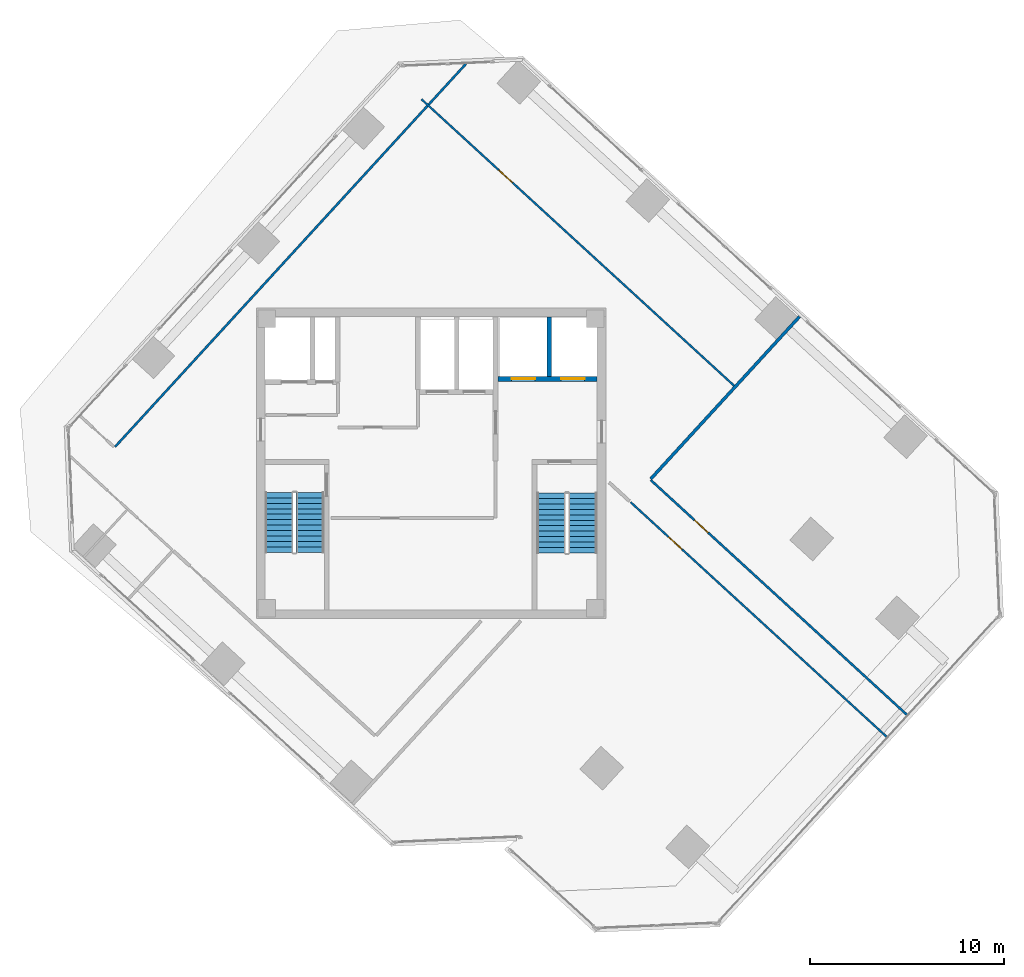
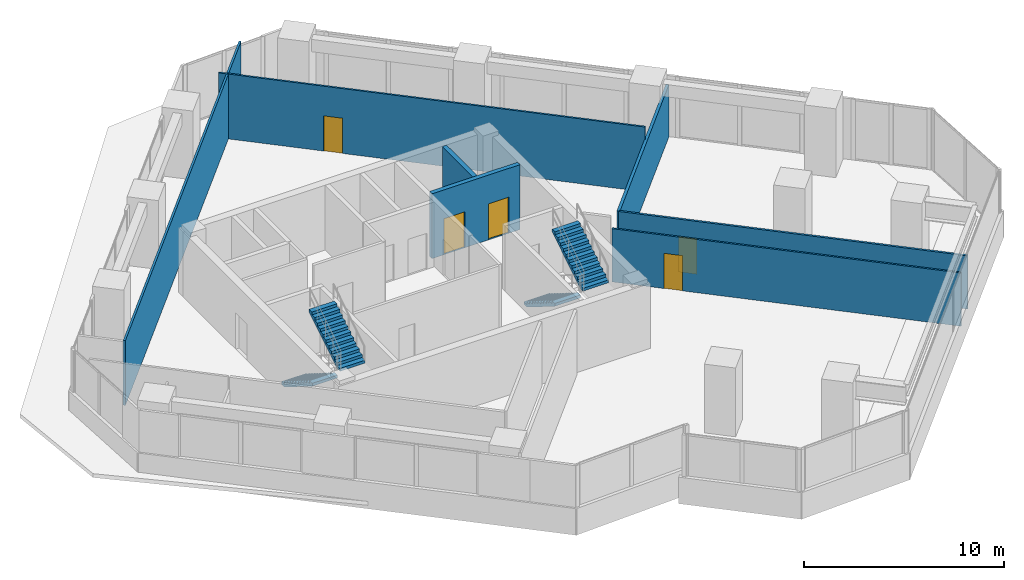
# One storey, part 15 of 19: 7 walls, 5 doors, 4 stair flights, 5 openings, 2 elements without a shape of their own.
"""IFC4 building model written with IfcOpenShell, lengths in metres."""

from ifc_helpers import new_model, si_unit, direction, frame, frame_2d, origin, place, context, subcontext, project, spatial, polyline, rectangle, outline, extrude, source, transform, mapped, material, layer, layer_set, type_object, element, fill, aggregate, save


model = new_model("IFC4")

# Units and contexts
model_context = context("Model", 3, precision=1e-05, world=origin(), true_north=direction((0.0, 1.0)))
body_context = subcontext(model_context, "Body", "Model", "MODEL_VIEW")
ifc_project = project(units=[si_unit("LENGTHUNIT", "METRE"), si_unit("AREAUNIT", "SQUARE_METRE"), si_unit("VOLUMEUNIT", "CUBIC_METRE"), si_unit("PLANEANGLEUNIT", "RADIAN"), si_unit("MASSUNIT", "GRAM", prefix="KILO")], contexts=[model_context])

# Site, building, storey
site_placement = place(None, origin())
site = spatial("IfcSite", under=ifc_project, at=site_placement, CompositionType="ELEMENT")
building_placement = place(site_placement, origin())
building = spatial("IfcBuilding", under=site, at=building_placement, Name="Torre Montelarca", CompositionType="ELEMENT")
storey_placement = place(building_placement, frame((0.0, 0.0, 229.0)))
storey = spatial("IfcBuildingStorey", under=building, at=storey_placement, Name="L51", CompositionType="ELEMENT", Elevation=229.0)

# Wall, openings, doors
ifc_material_1 = material(Name="Concrete C40/50", Category="concrete")
ifc_layer_1 = layer(ifc_material_1, 0.25, Name="Concrete C40/50", Category="concrete")
ifc_layer_set_1 = layer_set([ifc_layer_1], Name="Concrete C40/50")
wall_type_1 = type_object("IfcWallType", Name="CW-SHAFT-250", PredefinedType="SHEAR", material=ifc_layer_set_1)
wall_1_placement = place(storey_placement, frame((21.449951171875, 36.35009765625, 0.0), z_axis=(0.0, 0.0, 1.0), x_axis=(1.0, 0.0, 0.0)))
wall_1 = element("IfcWall", 1, at=wall_1_placement, inside=storey, type_object=wall_type_1, Name="L51 Core Shear Wall SH-FF-S", PredefinedType="SHEAR", context=body_context, shape_type="SweptSolid", body=[
    extrude(rectangle(XDim=5.090087890625, YDim=0.25, at=frame_2d((2.544921875, 0.0))), origin(), (0.0, 0.0, 1.0), 3.9599609375),
])
opening_1_placement = place(wall_1_placement, frame((0.699951171875, 0.0, 0.0)))
opening_1 = element("IfcOpeningElement", 2, at=opening_1_placement, cuts=wall_1, Name="Opening LD-120", PredefinedType="OPENING", context=body_context, shape_type="SweptSolid", body=[
    extrude(rectangle(XDim=1.199951171875, YDim=2.199951171875, at=frame_2d((0.60009765625, 1.10009765625))), frame((0.0, 0.135009765625, 0.0), z_axis=(0.0, -1.0, 0.0), x_axis=(1.0, 0.0, 0.0)), (0.0, 0.0, 1.0), 0.27001953125),
])
opening_2_placement = place(wall_1_placement, frame((3.25, 0.0, 0.0)))
opening_2 = element("IfcOpeningElement", 3, at=opening_2_placement, cuts=wall_1, Name="Opening LD-120", PredefinedType="OPENING", context=body_context, shape_type="SweptSolid", body=[
    extrude(rectangle(XDim=1.199951171875, YDim=2.199951171875, at=frame_2d((0.60009765625, 1.10009765625))), frame((0.0, 0.135009765625, 0.0), z_axis=(0.0, -1.0, 0.0), x_axis=(1.0, 0.0, 0.0)), (0.0, 0.0, 1.0), 0.27001953125),
])
ifc_material_2 = material(Name="Brushed stainless steel AISI 316", Category="steel")
door_type_1 = type_object("IfcDoorType", Name="DR-LIFT-120", OperationType="SLIDING_TO_RIGHT", PredefinedType="DOOR", material=ifc_material_2)
shared_shape_1 = source(origin(), body_context, "Body", "SweptSolid", [
    extrude(rectangle(XDim=1.199951171875, YDim=2.199951171875, at=frame_2d((0.60009765625, 1.10009765625))), frame((0.0, 0.02490234375, 0.0), z_axis=(0.0, -1.0, 0.0), x_axis=(1.0, 0.0, 0.0)), (0.0, 0.0, 1.0), 0.050048828125),
])
door_1_placement = place(opening_1_placement, origin())
door_1 = element("IfcDoor", 4, at=door_1_placement, inside=storey, type_object=door_type_1, Name="L51 Lift Landing Sliding Door FF-1", OperationType="SLIDING_TO_LEFT", OverallHeight=2.199951171875, OverallWidth=1.199951171875, PredefinedType="DOOR", context=body_context, shape_type="MappedRepresentation", body=[
    mapped(shared_shape_1, transform((0.0, 0.0, 0.0), scale=1.0)),
])
fill(opening_1, door_1)
door_2_placement = place(opening_2_placement, origin())
door_2 = element("IfcDoor", 5, at=door_2_placement, inside=storey, type_object=door_type_1, Name="L51 Lift Landing Sliding Door FF-2", OperationType="SLIDING_TO_RIGHT", OverallHeight=2.199951171875, OverallWidth=1.199951171875, PredefinedType="DOOR", context=body_context, shape_type="MappedRepresentation", body=[
    mapped(shared_shape_1, transform((0.0, 0.0, 0.0), scale=1.0)),
])
fill(opening_2, door_2)

# Walls
wall_2_placement = place(storey_placement, frame((24.080078125, 36.47998046875, 0.0), z_axis=(0.0, 0.0, 1.0), x_axis=(0.0, 1.0, 0.0)))
element("IfcWall", 6, at=wall_2_placement, inside=storey, type_object=wall_type_1, Name="L51 Core Shear Wall SH-FF-M", PredefinedType="SHEAR", context=body_context, shape_type="SweptSolid", body=[
    extrude(rectangle(XDim=3.06005859375, YDim=0.25, at=frame_2d((1.530029296875, 0.0))), origin(), (0.0, 0.0, 1.0), 3.9599609375),
])
ifc_material_3 = material(Name="Gypsum plasterboard on steel stud", Category="steel")
ifc_layer_2 = layer(ifc_material_3, 0.159912109375, Name="Gypsum plasterboard on steel stud", Category="steel")
ifc_layer_set_2 = layer_set([ifc_layer_2], Name="Gypsum plasterboard on steel stud")
wall_type_2 = type_object("IfcWallType", Name="PW-FIRE-160", PredefinedType="PARTITIONING", material=ifc_layer_set_2)
wall_3_placement = place(storey_placement, frame((29.306640625, 31.194091796875, 0.0), z_axis=(0.0, 0.0, 1.0), x_axis=(0.67558228032, 0.73728460076, 0.0)))
element("IfcWall", 7, at=wall_3_placement, inside=storey, type_object=wall_type_2, Name="L51 Interior Partition W-L51-ECN", PredefinedType="PARTITIONING", context=body_context, shape_type="SweptSolid", body=[
    extrude(rectangle(XDim=11.340087890625, YDim=0.159912109375, at=frame_2d((5.669921875, 0.0))), origin(), (0.0, 0.0, 1.0), 3.195068359375),
])

# Wall, opening, door
ifc_material_4 = material(Name="Acoustic laminated glass partition", Category="glass")
ifc_layer_3 = layer(ifc_material_4, 0.10009765625, Name="Acoustic laminated glass partition", Category="glass")
ifc_layer_set_3 = layer_set([ifc_layer_3], Name="Acoustic laminated glass partition")
wall_type_3 = type_object("IfcWallType", Name="PW-GLAZ-100", PredefinedType="PARTITIONING", material=ifc_layer_set_3)
wall_4_placement = place(storey_placement, frame((17.503662109375, 50.744384765625, 0.0), z_axis=(0.0, 0.0, 1.0), x_axis=(0.737277850523, -0.675589646996, 0.0)))
wall_4 = element("IfcWall", 8, at=wall_4_placement, inside=storey, type_object=wall_type_3, Name="L51 Interior Partition W-L51-NBOT", PredefinedType="PARTITIONING", context=body_context, shape_type="SweptSolid", body=[
    extrude(rectangle(XDim=21.8701171875, YDim=0.10009765625, at=frame_2d((10.93505859375, 0.0))), origin(), (0.0, 0.0, 1.0), 3.9599609375),
])
opening_3_placement = place(wall_4_placement, frame((5.39990234375, 0.0, 0.0)))
opening_3 = element("IfcOpeningElement", 9, at=opening_3_placement, cuts=wall_4, Name="Opening ID-095", PredefinedType="OPENING", context=body_context, shape_type="SweptSolid", body=[
    extrude(rectangle(XDim=0.949951171875, YDim=2.14990234375, at=frame_2d((0.47509765625, 1.074951171875))), frame((0.0, 0.06005859375, 0.0), z_axis=(0.0, -1.0, 0.0), x_axis=(1.0, 0.0, 0.0)), (0.0, 0.0, 1.0), 0.1201171875),
])
ifc_material_5 = material(Name="Hardwood acoustic timber veneer", Category="wood")
door_type_2 = type_object("IfcDoorType", Name="DR-INT-095", OperationType="NOTDEFINED", PredefinedType="DOOR", material=ifc_material_5)
shared_shape_2 = source(origin(), body_context, "Body", "SweptSolid", [
    extrude(rectangle(XDim=0.949951171875, YDim=2.14990234375, at=frame_2d((0.47509765625, 1.074951171875))), frame((0.0, 0.02490234375, 0.0), z_axis=(0.0, -1.0, 0.0), x_axis=(1.0, 0.0, 0.0)), (0.0, 0.0, 1.0), 0.050048828125),
])
door_3_placement = place(opening_3_placement, origin())
door_3 = element("IfcDoor", 10, at=door_3_placement, inside=storey, type_object=door_type_2, Name="L51 Interior Door 07", OperationType="SINGLE_SWING_LEFT", OverallHeight=2.14990234375, OverallWidth=0.949951171875, PredefinedType="DOOR", context=body_context, shape_type="MappedRepresentation", body=[
    mapped(shared_shape_2, transform((0.0, 0.0, 0.0), scale=1.0)),
])
fill(opening_3, door_3)

wall_5_placement = place(storey_placement, frame((28.268798828125, 30.002197265625, 0.0), z_axis=(0.0, 0.0, 1.0), x_axis=(0.737272587758, -0.67559539026, 0.0)))
wall_5 = element("IfcWall", 11, at=wall_5_placement, inside=storey, type_object=wall_type_3, Name="L51 Interior Partition W-L51-SE-N", PredefinedType="PARTITIONING", context=body_context, shape_type="SweptSolid", body=[
    extrude(rectangle(XDim=17.8798828125, YDim=0.10009765625, at=frame_2d((8.93994140625, 0.0))), origin(), (0.0, 0.0, 1.0), 3.25244140625),
])
opening_4_placement = place(wall_5_placement, frame((2.64990234375, 0.0, 0.0)))
opening_4 = element("IfcOpeningElement", 12, at=opening_4_placement, cuts=wall_5, Name="Opening ID-095", PredefinedType="OPENING", context=body_context, shape_type="SweptSolid", body=[
    extrude(rectangle(XDim=0.949951171875, YDim=2.14990234375, at=frame_2d((0.47509765625, 1.074951171875))), frame((0.0, 0.06005859375, 0.0), z_axis=(0.0, -1.0, 0.0), x_axis=(1.0, 0.0, 0.0)), (0.0, 0.0, 1.0), 0.1201171875),
])
door_4_placement = place(opening_4_placement, origin())
door_4 = element("IfcDoor", 13, at=door_4_placement, inside=storey, type_object=door_type_2, Name="L51 Interior Door 10", OperationType="SINGLE_SWING_LEFT", OverallHeight=2.14990234375, OverallWidth=0.949951171875, PredefinedType="DOOR", context=body_context, shape_type="MappedRepresentation", body=[
    mapped(shared_shape_2, transform((0.0, 0.0, 0.0), scale=1.0)),
])
fill(opening_4, door_4)

# Wall
ifc_layer_4 = layer(ifc_material_3, 0.114990234375, Name="Gypsum plasterboard on steel stud", Category="steel")
ifc_layer_set_4 = layer_set([ifc_layer_4], Name="Gypsum plasterboard on steel stud")
wall_type_4 = type_object("IfcWallType", Name="PW-PART-115", PredefinedType="PARTITIONING", material=ifc_layer_set_4)
wall_6_placement = place(storey_placement, frame((1.72998046875, 32.849609375, 0.0), z_axis=(0.0, 0.0, 1.0), x_axis=(0.675589845589, 0.737277668546, 0.0)))
element("IfcWall", 14, at=wall_6_placement, inside=storey, type_object=wall_type_4, Name="L51 Interior Partition W-L51-WPKE", PredefinedType="PARTITIONING", context=body_context, shape_type="SweptSolid", body=[
    extrude(rectangle(XDim=26.741943359375, YDim=0.114990234375, at=frame_2d((13.37109375, 0.0))), origin(), (0.0, 0.0, 1.0), 3.9599609375),
])

# Wall, opening, door
wall_7_placement = place(storey_placement, frame((29.30908203125, 31.1376953125, 0.0), z_axis=(0.0, 0.0, 1.0), x_axis=(0.737278819957, -0.675588589041, 0.0)))
wall_7 = element("IfcWall", 15, at=wall_7_placement, inside=storey, type_object=wall_type_4, Name="L51 Interior Partition W-L51-NE-S", PredefinedType="PARTITIONING", context=body_context, shape_type="SweptSolid", body=[
    extrude(rectangle(XDim=17.880126953125, YDim=0.114990234375, at=frame_2d((8.93994140625, 0.0))), origin(), (0.0, 0.0, 1.0), 3.25244140625),
])
opening_5_placement = place(wall_7_placement, frame((3.050048828125, 0.0, 0.0)))
opening_5 = element("IfcOpeningElement", 16, at=opening_5_placement, cuts=wall_7, Name="Opening ID-095", PredefinedType="OPENING", context=body_context, shape_type="SweptSolid", body=[
    extrude(rectangle(XDim=0.949951171875, YDim=2.14990234375, at=frame_2d((0.47509765625, 1.074951171875))), frame((0.0, 0.0673828125, 0.0), z_axis=(0.0, -1.0, 0.0), x_axis=(1.0, 0.0, 0.0)), (0.0, 0.0, 1.0), 0.135009765625),
])
door_5_placement = place(opening_5_placement, origin())
door_5 = element("IfcDoor", 17, at=door_5_placement, inside=storey, type_object=door_type_2, Name="L51 Interior Door 09", OperationType="SINGLE_SWING_LEFT", OverallHeight=2.14990234375, OverallWidth=0.949951171875, PredefinedType="DOOR", context=body_context, shape_type="MappedRepresentation", body=[
    mapped(shared_shape_2, transform((0.0, 0.0, 0.0), scale=1.0)),
])
fill(opening_5, door_5)

# Stair, stair flights
stair_type_1 = type_object("IfcStairType", Name="ST-CORE-ST1", PredefinedType="HALF_TURN_STAIR", material=ifc_material_1)
stair_1_placement = place(storey_placement, origin())
stair_1 = element("IfcStair", 18, at=stair_1_placement, inside=storey, type_object=stair_type_1, Name="L51 Protected Exit Stair ST1", PredefinedType="HALF_TURN_STAIR")
stair_flight_type_1 = type_object("IfcStairFlightType", Name="SFL-CORE-ST1", PredefinedType="STRAIGHT", material=ifc_material_1)
stair_flight_1_placement = place(storey_placement, frame((10.175048828125, 30.5, 0.0), z_axis=(0.0, 0.0, 1.0), x_axis=(0.0, -1.0, 0.0)))
stair_flight_1 = element("IfcStairFlight", 19, at=stair_flight_1_placement, type_object=stair_flight_type_1, Name="ST1 flight 1", NumberOfRisers=12, NumberOfTreads=11, PredefinedType="STRAIGHT", RiserHeight=0.175, TreadLength=0.28, context=body_context, shape_type="SweptSolid", body=[
    extrude(outline(polyline([(0.0, 0.0), (0.0, 0.175048828125), (0.280029296875, 0.175048828125), (0.280029296875, 0.35009765625), (0.56005859375, 0.35009765625), (0.56005859375, 0.52490234375), (0.840087890625, 0.52490234375), (0.840087890625, 0.699951171875), (1.1201171875, 0.699951171875), (1.1201171875, 0.875), (1.39990234375, 0.875), (1.39990234375, 1.050048828125), (1.679931640625, 1.050048828125), (1.679931640625, 1.22509765625), (1.9599609375, 1.22509765625), (1.9599609375, 1.39990234375), (2.239990234375, 1.39990234375), (2.239990234375, 1.574951171875), (2.52001953125, 1.574951171875), (2.52001953125, 1.75), (2.800048828125, 1.75), (2.800048828125, 1.925048828125), (3.080078125, 1.925048828125), (3.080078125, 2.10009765625), (3.080078125, 1.748291015625), (0.28271484375, 0.0), (0.0, 0.0)])), frame((0.0, 0.72509765625, 0.0), z_axis=(0.0, -1.0, 0.0), x_axis=(1.0, 0.0, 0.0)), (0.0, 0.0, 1.0), 1.449951171875),
])
stair_flight_2_placement = place(storey_placement, frame((11.77490234375, 27.419921875, 2.10009765625), z_axis=(0.0, 0.0, 1.0), x_axis=(0.0, 1.0, 0.0)))
stair_flight_2 = element("IfcStairFlight", 20, at=stair_flight_2_placement, type_object=stair_flight_type_1, Name="ST1 flight 2", NumberOfRisers=12, NumberOfTreads=11, PredefinedType="STRAIGHT", RiserHeight=0.175, TreadLength=0.28, context=body_context, shape_type="SweptSolid", body=[
    extrude(outline(polyline([(0.0, 0.0), (0.0, 0.175048828125), (0.280029296875, 0.175048828125), (0.280029296875, 0.35009765625), (0.56005859375, 0.35009765625), (0.56005859375, 0.52490234375), (0.840087890625, 0.52490234375), (0.840087890625, 0.699951171875), (1.1201171875, 0.699951171875), (1.1201171875, 0.875), (1.39990234375, 0.875), (1.39990234375, 1.050048828125), (1.679931640625, 1.050048828125), (1.679931640625, 1.22509765625), (1.9599609375, 1.22509765625), (1.9599609375, 1.39990234375), (2.239990234375, 1.39990234375), (2.239990234375, 1.574951171875), (2.52001953125, 1.574951171875), (2.52001953125, 1.75), (2.800048828125, 1.75), (2.800048828125, 1.925048828125), (3.080078125, 1.925048828125), (3.080078125, 2.10009765625), (3.080078125, 1.748291015625), (0.28271484375, 0.0), (0.0, 0.0)])), frame((0.0, 0.72509765625, 0.0), z_axis=(0.0, -1.0, 0.0), x_axis=(1.0, 0.0, 0.0)), (0.0, 0.0, 1.0), 1.449951171875),
])
aggregate(stair_1, [stair_flight_1, stair_flight_2])

stair_type_2 = type_object("IfcStairType", Name="ST-CORE-ST2", PredefinedType="HALF_TURN_STAIR", material=ifc_material_1)
stair_2_placement = place(storey_placement, origin())
stair_2 = element("IfcStair", 21, at=stair_2_placement, inside=storey, type_object=stair_type_2, Name="L51 Protected Exit Stair ST2", PredefinedType="HALF_TURN_STAIR")
stair_flight_type_2 = type_object("IfcStairFlightType", Name="SFL-CORE-ST2", PredefinedType="STRAIGHT", material=ifc_material_1)
stair_flight_3_placement = place(storey_placement, frame((24.179931640625, 30.469970703125, 0.0), z_axis=(0.0, 0.0, 1.0), x_axis=(0.0, -1.0, 0.0)))
stair_flight_3 = element("IfcStairFlight", 22, at=stair_flight_3_placement, type_object=stair_flight_type_2, Name="ST2 flight 1", NumberOfRisers=12, NumberOfTreads=11, PredefinedType="STRAIGHT", RiserHeight=0.175, TreadLength=0.28, context=body_context, shape_type="SweptSolid", body=[
    extrude(outline(polyline([(0.0, 0.0), (0.0, 0.175048828125), (0.280029296875, 0.175048828125), (0.280029296875, 0.35009765625), (0.56005859375, 0.35009765625), (0.56005859375, 0.52490234375), (0.840087890625, 0.52490234375), (0.840087890625, 0.699951171875), (1.1201171875, 0.699951171875), (1.1201171875, 0.875), (1.39990234375, 0.875), (1.39990234375, 1.050048828125), (1.679931640625, 1.050048828125), (1.679931640625, 1.22509765625), (1.9599609375, 1.22509765625), (1.9599609375, 1.39990234375), (2.239990234375, 1.39990234375), (2.239990234375, 1.574951171875), (2.52001953125, 1.574951171875), (2.52001953125, 1.75), (2.800048828125, 1.75), (2.800048828125, 1.925048828125), (3.080078125, 1.925048828125), (3.080078125, 2.10009765625), (3.080078125, 1.748291015625), (0.28271484375, 0.0), (0.0, 0.0)])), frame((0.0, 0.739990234375, 0.0), z_axis=(0.0, -1.0, 0.0), x_axis=(1.0, 0.0, 0.0)), (0.0, 0.0, 1.0), 1.47998046875),
])
stair_flight_4_placement = place(storey_placement, frame((25.81005859375, 27.389892578125, 2.10009765625), z_axis=(0.0, 0.0, 1.0), x_axis=(0.0, 1.0, 0.0)))
stair_flight_4 = element("IfcStairFlight", 23, at=stair_flight_4_placement, type_object=stair_flight_type_2, Name="ST2 flight 2", NumberOfRisers=12, NumberOfTreads=11, PredefinedType="STRAIGHT", RiserHeight=0.175, TreadLength=0.28, context=body_context, shape_type="SweptSolid", body=[
    extrude(outline(polyline([(0.0, 0.0), (0.0, 0.175048828125), (0.280029296875, 0.175048828125), (0.280029296875, 0.35009765625), (0.56005859375, 0.35009765625), (0.56005859375, 0.52490234375), (0.840087890625, 0.52490234375), (0.840087890625, 0.699951171875), (1.1201171875, 0.699951171875), (1.1201171875, 0.875), (1.39990234375, 0.875), (1.39990234375, 1.050048828125), (1.679931640625, 1.050048828125), (1.679931640625, 1.22509765625), (1.9599609375, 1.22509765625), (1.9599609375, 1.39990234375), (2.239990234375, 1.39990234375), (2.239990234375, 1.574951171875), (2.52001953125, 1.574951171875), (2.52001953125, 1.75), (2.800048828125, 1.75), (2.800048828125, 1.925048828125), (3.080078125, 1.925048828125), (3.080078125, 2.10009765625), (3.080078125, 1.748291015625), (0.28271484375, 0.0), (0.0, 0.0)])), frame((0.0, 0.739990234375, 0.0), z_axis=(0.0, -1.0, 0.0), x_axis=(1.0, 0.0, 0.0)), (0.0, 0.0, 1.0), 1.47998046875),
])
aggregate(stair_2, [stair_flight_3, stair_flight_4])

save(model, "model.ifc")
